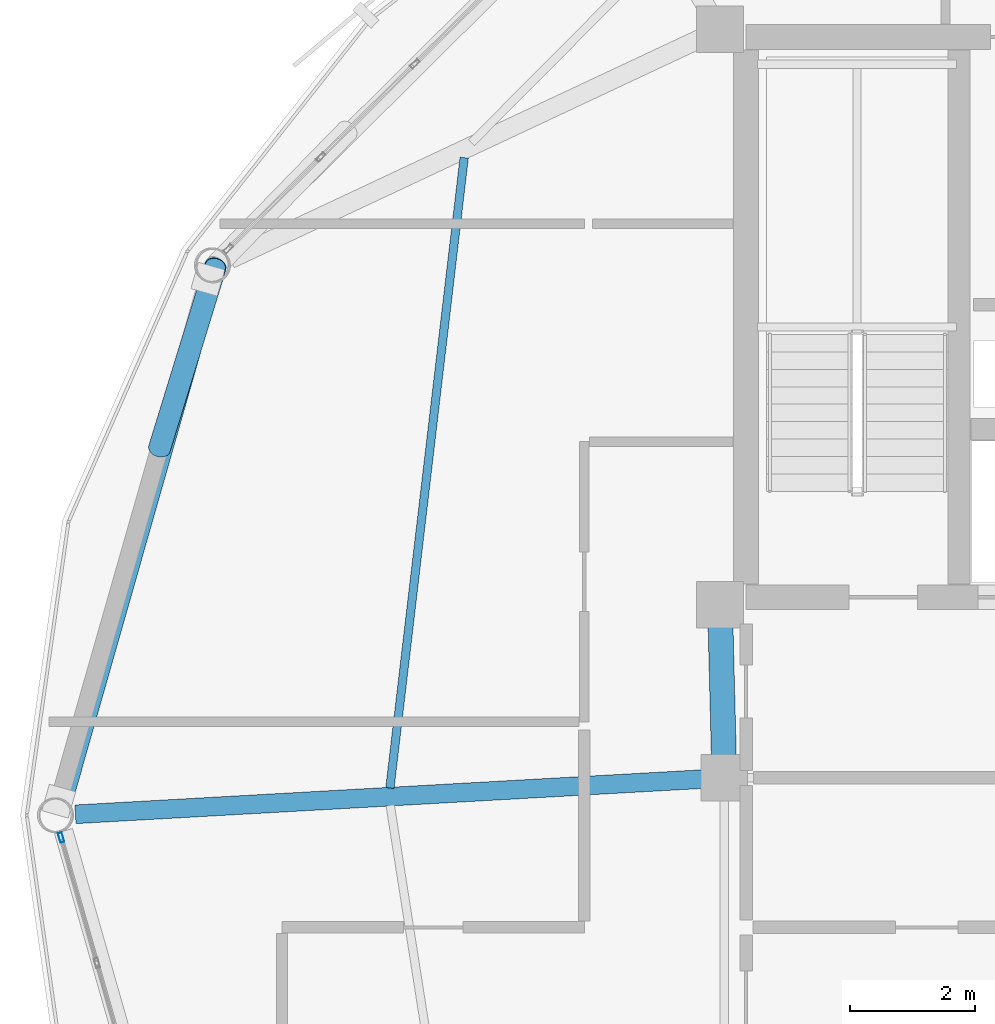
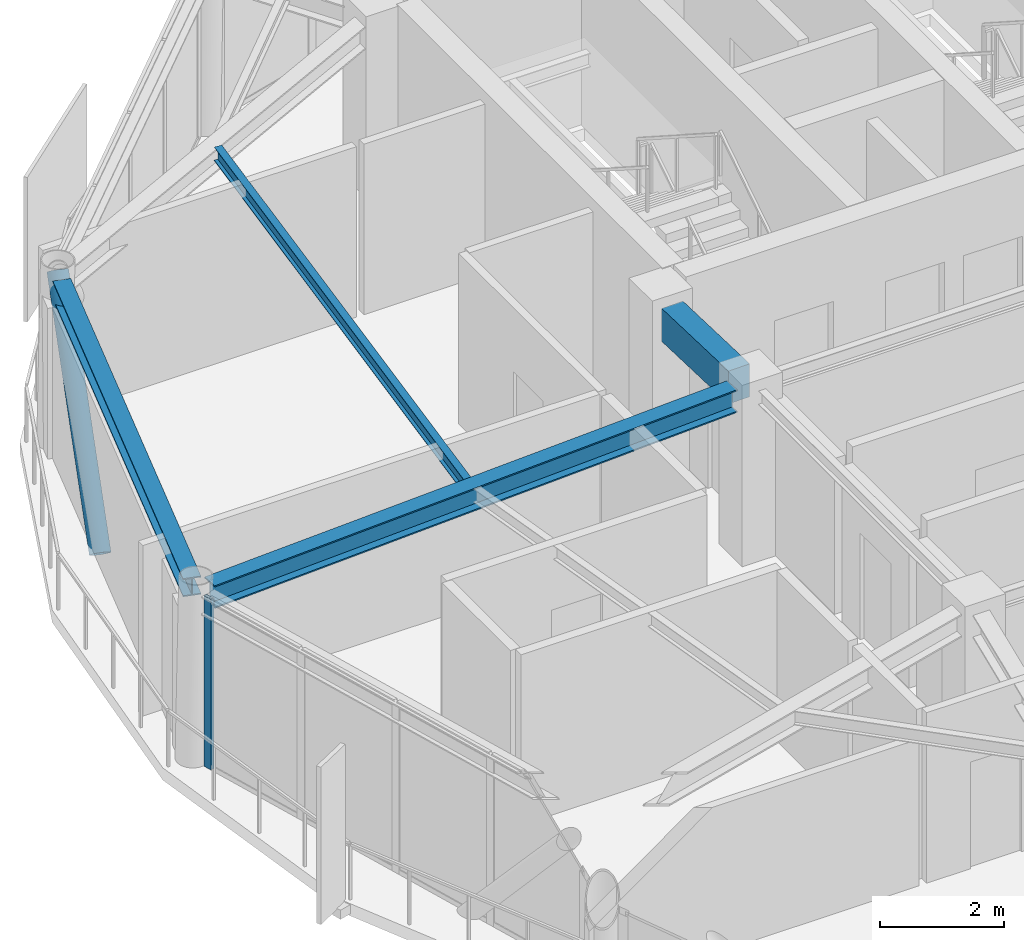
# One storey, part 10 of 25: 4 beams, 2 members, 1 element without a shape of its own.
"""IFC4 building model written with IfcOpenShell, lengths in metres."""

from ifc_helpers import new_model, si_unit, direction, frame, origin, origin_2d, place, context, subcontext, project, spatial, rectangle, hollow_rectangle, hollow_circle, i_section, extrude, material, layer, layer_set, material_profile, profile_set, type_object, element, aggregate, save


model = new_model("IFC4")

# Units and contexts
model_context = context("Model", 3, precision=1e-05, world=origin(), true_north=direction((0.0, 1.0)))
body_context = subcontext(model_context, "Body", "Model", "MODEL_VIEW")
ifc_project = project(units=[si_unit("LENGTHUNIT", "METRE"), si_unit("AREAUNIT", "SQUARE_METRE"), si_unit("VOLUMEUNIT", "CUBIC_METRE"), si_unit("PLANEANGLEUNIT", "RADIAN"), si_unit("MASSUNIT", "GRAM", prefix="KILO")], contexts=[model_context])

# Site, building, storey
site_placement = place(None, origin())
site = spatial("IfcSite", under=ifc_project, at=site_placement, CompositionType="ELEMENT")
building_placement = place(site_placement, origin())
building = spatial("IfcBuilding", under=site, at=building_placement, Name="Varnakorn Sky Granary", CompositionType="ELEMENT")
storey_placement = place(building_placement, frame((0.0, 0.0, 277.800048828125)))
storey = spatial("IfcBuildingStorey", under=building, at=storey_placement, Name="L71", CompositionType="ELEMENT", Elevation=277.800048828125)

# Beams
ifc_material_1 = material(Name="Concrete C50/60", Category="concrete")
ifc_material_profile_1 = material_profile(ifc_material_1, rectangle(XDim=0.39990234375, YDim=0.64990234375, at=origin_2d()), Name="RC 400x650")
ifc_profile_set_1 = profile_set([ifc_material_profile_1], Name="Concrete C50/60")
beam_type_1 = type_object("IfcBeamType", Name="BM-LIN-650", PredefinedType="LINTEL", material=ifc_profile_set_1)
beam_1_placement = place(storey_placement, frame((-2.4111328125, 3.025146484375, 3.034912109375), z_axis=(0.025227817192, -0.999681727971, 0.0), x_axis=(0.999681727971, 0.025227817192, 0.0)))
element("IfcBeam", 1, at=beam_1_placement, inside=storey, type_object=beam_type_1, Name="Core Spine Framing Beam 1 L71", PredefinedType="LINTEL", context=body_context, shape_type="SweptSolid", body=[
    extrude(rectangle(XDim=0.39990234375, YDim=0.64990234375, at=origin_2d()), origin(), (0.0, 0.0, 1.0), 2.071044921875),
])
ifc_material_2 = material(Name="Steel S355JR", Category="steel")
ifc_material_profile_2 = material_profile(ifc_material_2, i_section(OverallWidth=0.300048828125, OverallDepth=0.449951171875, WebThickness=0.013916015625, FlangeThickness=0.02587890625, at=origin_2d()), Name="HE 450 B")
ifc_profile_set_2 = profile_set([ifc_material_profile_2], Name="Steel S355JR")
beam_type_2 = type_object("IfcBeamType", Name="BM-RAD-Z5", PredefinedType="BEAM", material=ifc_profile_set_2)
beam_2_placement = place(storey_placement, frame((-2.704345703125, 0.580078125, 3.135009765625), z_axis=(-0.998427622307, -0.056056070275, 0.0), x_axis=(0.056056070275, -0.998427622307, 0.0)))
element("IfcBeam", 2, at=beam_2_placement, inside=storey, type_object=beam_type_2, Name="Radial Floor Girder RG07 L71", PredefinedType="BEAM", context=body_context, shape_type="SweptSolid", body=[
    extrude(i_section(OverallWidth=0.300048828125, OverallDepth=0.449951171875, WebThickness=0.013916015625, FlangeThickness=0.02587890625, at=origin_2d()), origin(), (0.0, 0.0, 1.0), 10.08251953125),
])
ifc_material_profile_3 = material_profile(ifc_material_2, i_section(OverallWidth=0.135009765625, OverallDepth=0.27001953125, WebThickness=0.006591796875, FlangeThickness=0.01025390625, at=origin_2d()), Name="IPE 270")
ifc_profile_set_3 = profile_set([ifc_material_profile_3], Name="Steel S355JR")
beam_type_3 = type_object("IfcBeamType", Name="BM-SEC-Z5", PredefinedType="BEAM", material=ifc_profile_set_3)
beam_3_placement = place(storey_placement, frame((-6.5283203125, 10.56005859375, 3.224853515625), z_axis=(-0.117021895782, -0.993129334935, 0.0), x_axis=(0.993129334935, -0.117021895782, 0.0)))
element("IfcBeam", 3, at=beam_3_placement, inside=storey, type_object=beam_type_3, Name="Secondary Floor Chord Beam MSB06 L71", PredefinedType="BEAM", context=body_context, shape_type="SweptSolid", body=[
    extrude(i_section(OverallWidth=0.135009765625, OverallDepth=0.27001953125, WebThickness=0.006591796875, FlangeThickness=0.01025390625, at=origin_2d()), origin(), (0.0, 0.0, 1.0), 10.193603515625),
])
ifc_material_profile_4 = material_profile(ifc_material_2, i_section(OverallWidth=0.300048828125, OverallDepth=0.360107421875, WebThickness=0.012451171875, FlangeThickness=0.0224609375, at=origin_2d()), Name="HE 360 B")
ifc_profile_set_4 = profile_set([ifc_material_profile_4], Name="Steel S355JR")
beam_type_4 = type_object("IfcBeamType", Name="BM-SPD-Z5", PredefinedType="SPANDREL", material=ifc_profile_set_4)
beam_4_placement = place(storey_placement, frame((-10.594482421875, 8.56201171875, 3.179931640625), z_axis=(-0.274112641132, -0.961697592787, 0.0), x_axis=(0.961697592787, -0.274112641132, 0.0)))
element("IfcBeam", 4, at=beam_4_placement, inside=storey, type_object=beam_type_4, Name="Perimeter Spandrel Ring Beam RB06 L71", PredefinedType="SPANDREL", context=body_context, shape_type="SweptSolid", body=[
    extrude(i_section(OverallWidth=0.300048828125, OverallDepth=0.360107421875, WebThickness=0.012451171875, FlangeThickness=0.0224609375, at=origin_2d()), origin(), (0.0, 0.0, 1.0), 8.638427734375),
])

# Curtain wall, member
ifc_material_3 = material(Name="Anodised Bronze Aluminium Alloy 6063-T6", Category="aluminium")
ifc_layer = layer(ifc_material_3, 0.159912109375, Name="Anodised Bronze Aluminium Alloy 6063-T6")
ifc_layer_set = layer_set([ifc_layer], Name="Anodised Bronze Aluminium Alloy 6063-T6")
curtain_wall_type = type_object("IfcCurtainWallType", Name="CW-OFF-1", PredefinedType="USERDEFINED", material=ifc_layer_set)
curtain_wall_placement = place(storey_placement, origin())
curtain_wall = element("IfcCurtainWall", 5, at=curtain_wall_placement, inside=storey, type_object=curtain_wall_type, Name="Unitised Curtain Wall CW6 CW-L71-B07", ObjectType="CURTAIN WALL", PredefinedType="USERDEFINED")
ifc_material_profile_5 = material_profile(ifc_material_3, hollow_rectangle(XDim=0.06494140625, YDim=0.159912109375, WallThickness=0.00341796875, at=origin_2d()), Name="ALU MULL 65x160")
ifc_profile_set_5 = profile_set([ifc_material_profile_5], Name="Anodised Bronze Aluminium Alloy 6063-T6")
member_type_1 = type_object("IfcMemberType", Name="CW-OFF-1-MULL", PredefinedType="MULLION", material=ifc_profile_set_5)
member_1_placement = place(storey_placement, frame((-13.0009765625, -0.357666015625, 0.0), z_axis=(0.0, 0.0, 1.0), x_axis=(-0.961570064627, -0.274559667128, 0.0)))
member_1 = element("IfcMember", 6, at=member_1_placement, type_object=member_type_1, Name="CW6 mullion 5", PredefinedType="MULLION", context=body_context, shape_type="SweptSolid", body=[
    extrude(hollow_rectangle(XDim=0.06494140625, YDim=0.159912109375, WallThickness=0.00341796875, at=origin_2d()), origin(), (0.0, 0.0, 1.0), 3.35986328125),
])
aggregate(curtain_wall, [member_1])

# Member
ifc_material_4 = material(Name="Steel S460M", Category="steel")
ifc_material_profile_6 = material_profile(ifc_material_4, hollow_circle(Radius=0.177734375, WallThickness=0.01416015625, at=origin_2d()), Name="CHS 355.6x14")
ifc_profile_set_6 = profile_set([ifc_material_profile_6], Name="Steel S460M")
member_type_2 = type_object("IfcMemberType", Name="MB-DIAG-T5", PredefinedType="BRACE", material=ifc_profile_set_6)
member_2_placement = place(storey_placement, frame((-11.42138671875, 5.888916015625, -0.130126953125), z_axis=(0.193706230063, 0.630491695083, 0.751636959487), x_axis=(-0.955903025738, 0.29368249077, 0.0)))
element("IfcMember", 7, at=member_2_placement, inside=storey, type_object=member_type_2, Name="Perimeter CHS Diagrid Brace DG06 L71", PredefinedType="BRACE", context=body_context, shape_type="SweptSolid", body=[
    extrude(hollow_circle(Radius=0.177734375, WallThickness=0.01416015625, at=origin_2d()), origin(), (0.0, 0.0, 1.0), 4.64306640625),
])

save(model, "model.ifc")
